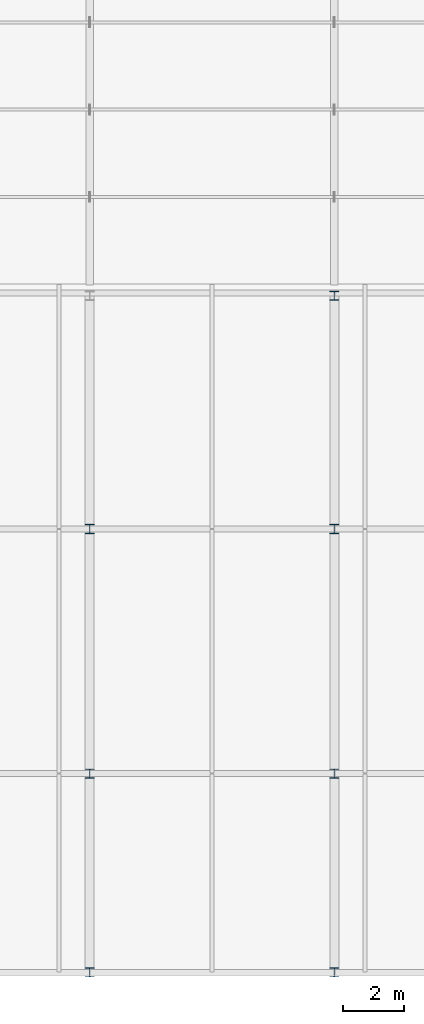
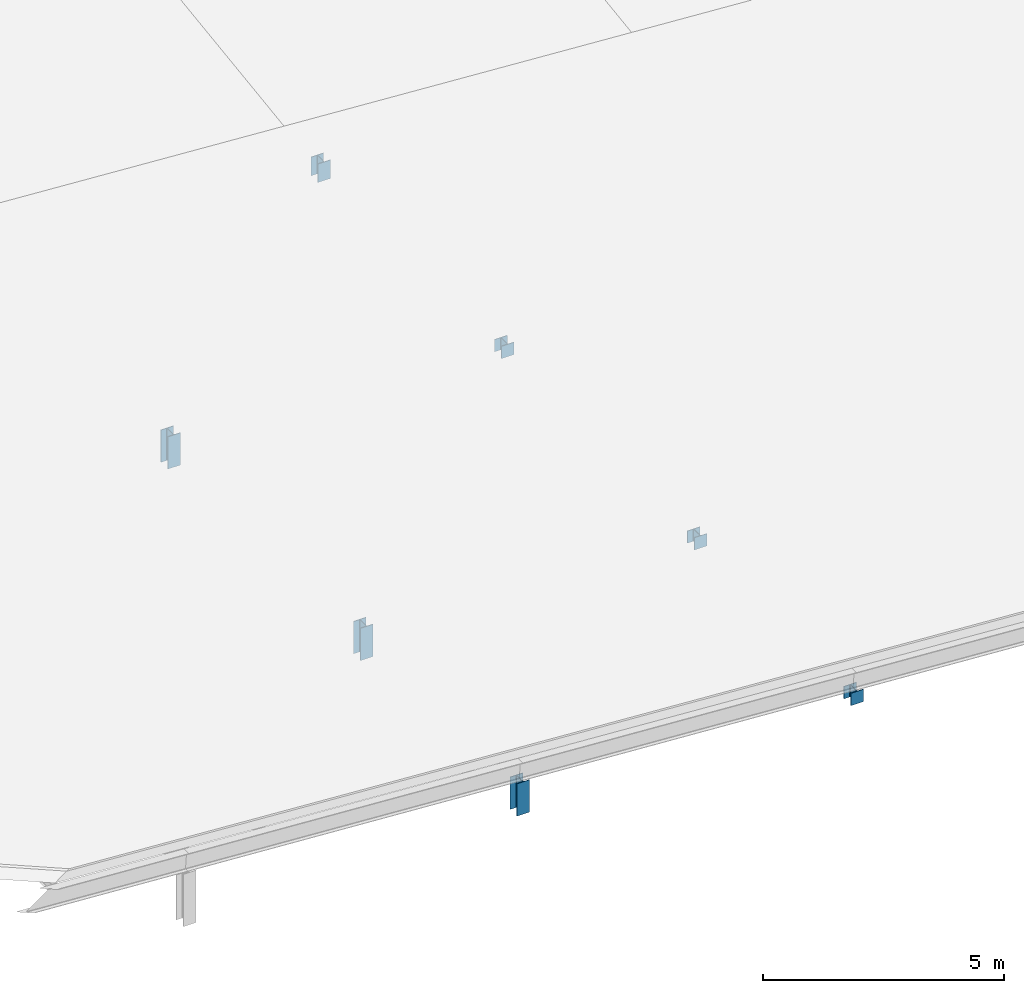
# One storey, part 44 of 77: 7 members.
"""IFC4 building model written with IfcOpenShell, lengths in metres."""

import ifcopenshell
import ifcopenshell.guid

model = None  # the IFC model being written
_history = None  # IfcOwnerHistory: only IFC2X3 demands one
_inside = {}  # id of a spatial element -> (the spatial element, [elements in it])
_under = {}  # id of a project, library or spatial element -> (it, [spatial elements below it])
_declared = {}  # id of a project -> (the project, [libraries it declares])
_typed = {}  # id of a type object -> (the type object, [elements of that type])
_made_of = {}  # id of a material, layer set ... -> (it, [elements and type objects made of it])


def new_model(schema):
    """Start an empty IFC model of exactly this schema.

    Asked for "IFC4X3", IfcOpenShell would pick the latest addendum, in which some entities
    have other attributes; the version numbers below select the first issue.
    IFC2X3 requires an IfcOwnerHistory on every rooted entity: one is made here for all.
    """
    global model, _history
    if schema == "IFC4X3":
        model = ifcopenshell.file(schema_version=(4, 3, 0, 0))
    else:
        model = ifcopenshell.file(schema=schema)
    _inside.clear()
    _under.clear()
    _declared.clear()
    _typed.clear()
    _made_of.clear()
    _history = None
    if model.schema == "IFC2X3":
        org = make("IfcOrganization", Name="unknown")
        user = make(
            "IfcPersonAndOrganization",
            ThePerson=make("IfcPerson", FamilyName="unknown"),
            TheOrganization=org,
        )
        app = make(
            "IfcApplication",
            ApplicationDeveloper=org,
            Version="unknown",
            ApplicationFullName="unknown",
            ApplicationIdentifier="unknown",
        )
        _history = make(
            "IfcOwnerHistory",
            OwningUser=user,
            OwningApplication=app,
            ChangeAction="ADDED",
            CreationDate=0,
        )
    return model


def make(cls, **values):
    """One entity of the class cls with the attributes given. An attribute that is None is left unset."""
    return model.create_entity(
        cls, **{name: value for name, value in values.items() if value is not None}
    )


def rooted(cls, **values):
    """An entity with a GlobalId (a new one), such as an element, a storey or a relation."""
    return make(cls, GlobalId=ifcopenshell.guid.new(), OwnerHistory=_history, **values)


def si_unit(unit_type, name, prefix=None):
    """IfcSIUnit, for example si_unit("LENGTHUNIT", "METRE", prefix="MILLI")."""
    return make("IfcSIUnit", UnitType=unit_type, Prefix=prefix, Name=name)


def assignment(units):
    """IfcUnitAssignment: the units of a project."""
    return None if units is None else make("IfcUnitAssignment", Units=units)


def point(xyz):
    """IfcCartesianPoint."""
    return None if xyz is None else make("IfcCartesianPoint", Coordinates=xyz)


def direction(xyz):
    """IfcDirection."""
    return None if xyz is None else make("IfcDirection", DirectionRatios=xyz)


def frame(location, z_axis=None, x_axis=None):
    """IfcAxis2Placement3D, a coordinate frame: its origin and axes. An axis left out is left unset."""
    return make(
        "IfcAxis2Placement3D",
        Location=point(location),
        Axis=direction(z_axis),
        RefDirection=direction(x_axis),
    )


def frame_2d(location, x_axis=None):
    """IfcAxis2Placement2D, a coordinate frame in the plane: its origin and x axis."""
    return make(
        "IfcAxis2Placement2D", Location=point(location), RefDirection=direction(x_axis)
    )


def origin():
    """The frame at (0, 0, 0) with its axes left unset."""
    return frame((0.0, 0.0, 0.0))


def origin_2d():
    """The frame at (0, 0) in the plane with its x axis left unset."""
    return frame_2d((0.0, 0.0))


def place(relative_to, where):
    """IfcLocalPlacement: puts the frame where relative to a parent placement (None: the world)."""
    return make(
        "IfcLocalPlacement", PlacementRelTo=relative_to, RelativePlacement=where
    )


def context(
    kind, dimensions, precision=None, world=None, true_north=None, identifier=None
):
    """IfcGeometricRepresentationContext, for example the 3D "Model" context."""
    return make(
        "IfcGeometricRepresentationContext",
        ContextIdentifier=identifier,
        ContextType=kind,
        CoordinateSpaceDimension=dimensions,
        Precision=precision,
        WorldCoordinateSystem=world,
        TrueNorth=true_north,
    )


def subcontext(parent, identifier, kind, view, scale=None):
    """IfcGeometricRepresentationSubContext, for example "Body" below "Model"."""
    return make(
        "IfcGeometricRepresentationSubContext",
        ContextIdentifier=identifier,
        ContextType=kind,
        ParentContext=parent,
        TargetScale=scale,
        TargetView=view,
    )


def project(units=None, contexts=None):
    """IfcProject with its units and contexts."""
    return rooted(
        "IfcProject",
        Name="project",
        RepresentationContexts=contexts,
        UnitsInContext=assignment(units),
    )


def spatial(cls, under=None, at=None, **own):
    """A site, building, storey or space (cls), placed at a placement, below another one or the project."""
    s = rooted(cls, ObjectPlacement=at, **own)
    if under is not None:
        _under.setdefault(under.id(), (under, []))[1].append(s)
    return s


def profile(cls, at=None, kind="AREA", **sizes):
    """A parametric profile (cls). Its sizes go by their IFC names, for example OverallWidth=200.0."""
    return make(cls, ProfileType=kind, Position=at, **sizes)


def i_section(**sizes):
    """IfcIShapeProfileDef."""
    return profile("IfcIShapeProfileDef", **sizes)


def extrude(swept, where, along, depth):
    """IfcExtrudedAreaSolid: the profile swept, set in the frame where, extruded along a direction by depth."""
    return make(
        "IfcExtrudedAreaSolid",
        SweptArea=swept,
        Position=where,
        ExtrudedDirection=direction(along),
        Depth=depth,
    )


def shape(context_of_items, identifier, shape_type, items):
    """IfcShapeRepresentation: the items that make up one representation, for example the "Body"."""
    return make(
        "IfcShapeRepresentation",
        ContextOfItems=context_of_items,
        RepresentationIdentifier=identifier,
        RepresentationType=shape_type,
        Items=items,
    )


def material(Name=None, Category=None):
    """IfcMaterial."""
    return make("IfcMaterial", Name=Name, Category=Category)


def material_profile(
    of_material, cross_section, Name=None, Category=None, Priority=None
):
    """IfcMaterialProfile: a cross section and its material."""
    return make(
        "IfcMaterialProfile",
        Name=Name,
        Material=of_material,
        Profile=cross_section,
        Priority=Priority,
        Category=Category,
    )


def profile_set(profiles, Name=None, composite=None):
    """IfcMaterialProfileSet."""
    return make(
        "IfcMaterialProfileSet",
        Name=Name,
        MaterialProfiles=profiles,
        CompositeProfile=composite,
    )


def made_of(thing, what):
    """Note that an element or type object is made of a material, layer set ...; save() writes the relation."""
    if what is not None:
        _made_of.setdefault(what.id(), (what, []))[1].append(thing)
    return thing


def type_object(cls, material=None, **own):
    """A type object (cls), such as IfcWallType, which elements share."""
    return made_of(rooted(cls, **own), material)


def element(
    cls,
    number,
    at=None,
    inside=None,
    cuts=None,
    type_object=None,
    material=None,
    context=None,
    identifier="Body",
    shape_type=None,
    held_by="IfcProductDefinitionShape",
    body=None,
    shapes=None,
    **own,
):
    """One element of the class cls, such as IfcWall. Its Tag is "e" and its number.

    at: its placement. inside: the storey or other place that contains it. cuts: it is an
    opening in that element (IfcRelVoidsElement). A single representation is given by context,
    identifier, shape_type and body (its items); several are given by shapes. held_by: the class
    of the entity that holds the representations. save() writes the other relations.
    """
    e = rooted(cls, Tag="e%d" % number, ObjectPlacement=at, **own)
    if body is not None:
        shapes = [shape(context, identifier, shape_type, body)]
    if shapes is not None:
        e.Representation = make(held_by, Representations=shapes)
    if inside is not None:
        _inside.setdefault(inside.id(), (inside, []))[1].append(e)
    if cuts is not None:
        rooted(
            "IfcRelVoidsElement", RelatingBuildingElement=cuts, RelatedOpeningElement=e
        )
    if type_object is not None:
        _typed.setdefault(type_object.id(), (type_object, []))[1].append(e)
    return made_of(e, material)


def aggregate(whole, parts):
    """IfcRelAggregates: a whole, such as a stair, and the parts it consists of."""
    return rooted("IfcRelAggregates", RelatingObject=whole, RelatedObjects=parts)


def save(model, path):
    """Write the relations noted so far, then the file.

    IfcRelAggregates (storeys below a building ...), IfcRelContainedInSpatialStructure (elements
    in a storey), IfcRelDefinesByType, IfcRelAssociatesMaterial and IfcRelDeclares: one each for
    every whole, place, type object, material and project.
    """
    for whole, parts in _under.values():
        aggregate(whole, parts)
    for where, things in _inside.values():
        rooted(
            "IfcRelContainedInSpatialStructure",
            RelatedElements=things,
            RelatingStructure=where,
        )
    for kind, things in _typed.values():
        rooted("IfcRelDefinesByType", RelatedObjects=things, RelatingType=kind)
    for what, things in _made_of.values():
        rooted("IfcRelAssociatesMaterial", RelatedObjects=things, RelatingMaterial=what)
    for by, libraries in _declared.values():
        rooted("IfcRelDeclares", RelatingContext=by, RelatedDefinitions=libraries)
    model.write(path)


model = new_model("IFC4")

# Units and contexts
model_context = context("Model", 3, precision=1e-05, world=origin(), true_north=direction((0.0, 1.0)))
body_context = subcontext(model_context, "Body", "Model", "MODEL_VIEW")
ifc_project = project(units=[si_unit("LENGTHUNIT", "METRE"), si_unit("AREAUNIT", "SQUARE_METRE"), si_unit("VOLUMEUNIT", "CUBIC_METRE"), si_unit("PLANEANGLEUNIT", "RADIAN"), si_unit("MASSUNIT", "GRAM", prefix="KILO"), si_unit("THERMODYNAMICTEMPERATUREUNIT", "KELVIN"), si_unit("POWERUNIT", "WATT")], contexts=[model_context])

# Site, building, storey
site_placement = place(None, origin())
site = spatial("IfcSite", under=ifc_project, at=site_placement, CompositionType="ELEMENT")
building_placement = place(site_placement, origin())
building = spatial("IfcBuilding", under=site, at=building_placement, Name="Zhenchuan Central Fire Station", CompositionType="ELEMENT")
storey_placement = place(building_placement, frame((0.0, 0.0, 10.050048828125)))
storey = spatial("IfcBuildingStorey", under=building, at=storey_placement, Name="L03", CompositionType="ELEMENT", Elevation=10.050048828125)

# Members
ifc_material = material(Name="Steel Q355B", Category="steel")
ifc_material_profile = material_profile(ifc_material, i_section(OverallWidth=0.300048828125, OverallDepth=0.300048828125, WebThickness=0.010009765625, FlangeThickness=0.014892578125, FilletRadius=0.01806640625, at=origin_2d()), Name="HW 300x300")
ifc_profile_set = profile_set([ifc_material_profile], Name="Steel Q355B")
member_type = type_object("IfcMemberType", Name="MB-CH-HW300-INT", PredefinedType="CHORD", material=ifc_profile_set)
for number, where, z_axis, x_axis, name in (
    (1, (16.0, 0.0, 0.0), (0.0, 0.0, 1.0), (1.0, 0.0, 0.0), "Lecture Roof Post X=16 Y=0.0"),
    (2, (16.0, 6.5, 0.0), (0.0, 0.0, 1.0), (1.0, 0.0, 0.0), "Lecture Roof Post X=16 Y=6.5"),
    (3, (16.0, 14.5, 0.0), (0.0, 0.0, 1.0), (1.0, 0.0, 0.0), "Lecture Roof Post X=16 Y=14.5"),
):
    element("IfcMember", number, at=place(storey_placement, frame(where, z_axis=z_axis, x_axis=x_axis)), inside=storey, type_object=member_type, Name=name, PredefinedType="POST", context=body_context, shape_type="SweptSolid", body=[
        extrude(i_section(OverallWidth=0.300048828125, OverallDepth=0.300048828125, WebThickness=0.010009765625, FlangeThickness=0.014892578125, FilletRadius=0.01806640625, at=origin_2d()), origin(), (0.0, 0.0, 1.0), 0.81884765625),
    ])
for number, where, z_axis, x_axis, name in (
    (4, (24.0, 0.0, 0.0), (0.0, 0.0, 1.0), (1.0, 0.0, 0.0), "Lecture Roof Post X=24 Y=0.0"),
    (5, (24.0, 6.5, 0.0), (0.0, 0.0, 1.0), (1.0, 0.0, 0.0), "Lecture Roof Post X=24 Y=6.5"),
    (6, (24.0, 14.5, 0.0), (0.0, 0.0, 1.0), (1.0, 0.0, 0.0), "Lecture Roof Post X=24 Y=14.5"),
):
    element("IfcMember", number, at=place(storey_placement, frame(where, z_axis=z_axis, x_axis=x_axis)), inside=storey, type_object=member_type, Name=name, PredefinedType="POST", context=body_context, shape_type="SweptSolid", body=[
        extrude(i_section(OverallWidth=0.300048828125, OverallDepth=0.300048828125, WebThickness=0.010009765625, FlangeThickness=0.014892578125, FilletRadius=0.01806640625, at=origin_2d()), origin(), (0.0, 0.0, 1.0), 0.31103515625),
    ])
member_placement = place(storey_placement, frame((24.0, 22.1201171875, -0.16015625), z_axis=(0.0, 0.0, 1.0), x_axis=(1.0, 0.0, 0.0)))
element("IfcMember", 7, at=member_placement, inside=storey, type_object=member_type, Name="Lecture Roof Post X=24 Y=22.12", PredefinedType="POST", context=body_context, shape_type="SweptSolid", body=[
    extrude(i_section(OverallWidth=0.300048828125, OverallDepth=0.300048828125, WebThickness=0.010009765625, FlangeThickness=0.014892578125, FilletRadius=0.01806640625, at=origin_2d()), origin(), (0.0, 0.0, 1.0), 0.47119140625),
])

save(model, "model.ifc")
